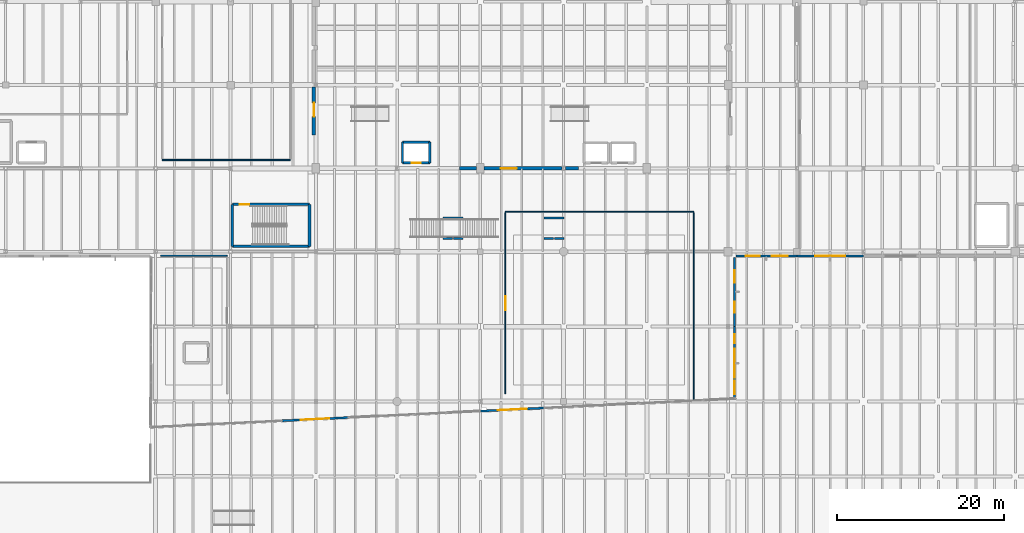
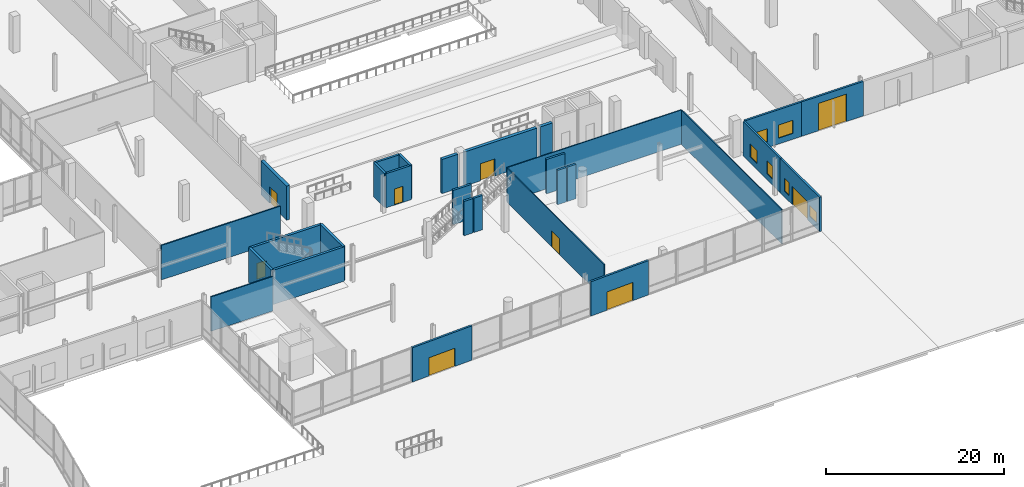
# One storey, part 68 of 88: 29 walls, 9 doors, 6 windows, 15 openings.
"""IFC4 building model written with IfcOpenShell, lengths in metres."""

from ifc_helpers import new_model, si_unit, direction, frame, frame_2d, origin, place, context, subcontext, project, spatial, rectangle, extrude, material, layer, layer_set, type_object, element, fill, save


model = new_model("IFC4")

# Units and contexts
model_context = context("Model", 3, precision=1e-05, world=origin(), true_north=direction((0.0, 1.0)))
body_context = subcontext(model_context, "Body", "Model", "MODEL_VIEW")
ifc_project = project(units=[si_unit("LENGTHUNIT", "METRE"), si_unit("AREAUNIT", "SQUARE_METRE"), si_unit("VOLUMEUNIT", "CUBIC_METRE"), si_unit("PLANEANGLEUNIT", "RADIAN"), si_unit("MASSUNIT", "GRAM", prefix="KILO")], contexts=[model_context])

# Site, building, storey
site_placement = place(None, origin())
site = spatial("IfcSite", under=ifc_project, at=site_placement, CompositionType="ELEMENT")
building_placement = place(site_placement, origin())
building = spatial("IfcBuilding", under=site, at=building_placement, Name="Trimount Lyric Opera House", CompositionType="ELEMENT")
storey_placement = place(building_placement, origin())
storey = spatial("IfcBuildingStorey", under=building, at=storey_placement, Name="L00", CompositionType="ELEMENT", Elevation=0.0)

# Wall
ifc_material_1 = material(Name="Gypsum Board Partition")
ifc_layer_1 = layer(ifc_material_1, 0.1201171875)
ifc_layer_set_1 = layer_set([ifc_layer_1], Name="WL-PT120")
wall_type_1 = type_object("IfcWallType", Name="WL-PT120", PredefinedType="PARTITIONING", material=ifc_layer_set_1)
wall_1_placement = place(storey_placement, frame((109.60009765625, 48.800048828125, 0.0), z_axis=(0.0, 0.0, 1.0), x_axis=(-1.0, 0.0, 0.0)))
element("IfcWall", 1, at=wall_1_placement, inside=storey, type_object=wall_type_1, Name="L00 Winter-Garden Ground Concourse N partition", PredefinedType="PARTITIONING", context=body_context, shape_type="SweptSolid", body=[
    extrude(rectangle(XDim=22.60009765625, YDim=0.1201171875, at=frame_2d((11.300048828125, 0.0))), origin(), (0.0, 0.0, 1.0), 4.699951171875),
])

# Wall, opening, door
wall_2_placement = place(storey_placement, frame((87.0, 48.679931640625, 0.0), z_axis=(0.0, 0.0, 1.0), x_axis=(0.0, -1.0, 0.0)))
wall_2 = element("IfcWall", 2, at=wall_2_placement, inside=storey, type_object=wall_type_1, Name="L00 Winter-Garden Ground Concourse W partition", PredefinedType="PARTITIONING", context=body_context, shape_type="SweptSolid", body=[
    extrude(rectangle(XDim=21.760009765625, YDim=0.1201171875, at=frame_2d((10.8798828125, 0.0))), origin(), (0.0, 0.0, 1.0), 4.699951171875),
])
opening_1_placement = place(wall_2_placement, frame((10.030029296875, 0.0, 0.0)))
opening_1 = element("IfcOpeningElement", 3, at=opening_1_placement, cuts=wall_2, Name="Opening DT-COR2", PredefinedType="OPENING", context=body_context, shape_type="SweptSolid", body=[
    extrude(rectangle(XDim=1.699951171875, YDim=2.199951171875, at=frame_2d((0.85009765625, 1.10009765625))), frame((0.0, 0.070068359375, 0.0), z_axis=(0.0, -1.0, 0.0), x_axis=(1.0, 0.0, 0.0)), (0.0, 0.0, 1.0), 0.14013671875),
])
ifc_material_2 = material(Name="Solid Core White Oak")
door_type_1 = type_object("IfcDoorType", Name="DT-COR2", OperationType="DOUBLE_DOOR_SINGLE_SWING", PredefinedType="DOOR", material=ifc_material_2)
door_1_placement = place(opening_1_placement, origin())
door_1 = element("IfcDoor", 4, at=door_1_placement, inside=storey, type_object=door_type_1, Name="D-182", OperationType="DOUBLE_DOOR_SINGLE_SWING", OverallHeight=2.199951171875, OverallWidth=1.699951171875, PredefinedType="DOOR", context=body_context, shape_type="SweptSolid", body=[
    extrude(rectangle(XDim=1.699951171875, YDim=2.199951171875, at=frame_2d((0.85009765625, 1.10009765625))), frame((0.0, 0.02490234375, 0.0), z_axis=(0.0, -1.0, 0.0), x_axis=(1.0, 0.0, 0.0)), (0.0, 0.0, 1.0), 0.050048828125),
])
fill(opening_1, door_1)

# Walls
wall_3_placement = place(storey_placement, frame((109.60009765625, 26.232177734375, 0.0), z_axis=(0.0, 0.0, 1.0), x_axis=(0.0, 1.0, 0.0)))
element("IfcWall", 5, at=wall_3_placement, inside=storey, type_object=wall_type_1, Name="L00 Winter-Garden Ground Concourse E partition", PredefinedType="PARTITIONING", context=body_context, shape_type="SweptSolid", body=[
    extrude(rectangle(XDim=22.44775390625, YDim=0.1201171875, at=frame_2d((11.223876953125, 0.0))), origin(), (0.0, 0.0, 1.0), 4.699951171875),
])
ifc_material_3 = material(Name="Fire-Rated Gypsum Board Partition")
ifc_layer_2 = layer(ifc_material_3, 0.14990234375)
ifc_layer_set_2 = layer_set([ifc_layer_2], Name="WL-PT150")
wall_type_2 = type_object("IfcWallType", Name="WL-PT150", PredefinedType="PARTITIONING", material=ifc_layer_set_2)
wall_4_placement = place(storey_placement, frame((53.60009765625, 43.5, 0.0), z_axis=(0.0, 0.0, 1.0), x_axis=(-1.0, 0.0, 0.0)))
element("IfcWall", 6, at=wall_4_placement, inside=storey, type_object=wall_type_2, Name="L00 Box Office & Ticketing Hall N partition", PredefinedType="PARTITIONING", context=body_context, shape_type="SweptSolid", body=[
    extrude(rectangle(XDim=8.0, YDim=0.14990234375, at=frame_2d((4.0, 0.0))), origin(), (0.0, 0.0, 1.0), 4.719970703125),
])
ifc_material_4 = material(Name="Acoustic Double-Stud Gypsum Board")
ifc_layer_3 = layer(ifc_material_4, 0.1650390625)
ifc_layer_set_3 = layer_set([ifc_layer_3], Name="WL-PT165")
wall_type_3 = type_object("IfcWallType", Name="WL-PT165", PredefinedType="PARTITIONING", material=ifc_layer_set_3)
wall_5_placement = place(storey_placement, frame((45.800048828125, 55.0, 0.0), z_axis=(0.0, 0.0, 1.0), x_axis=(1.0, 0.0, 0.0)))
element("IfcWall", 7, at=wall_5_placement, inside=storey, type_object=wall_type_3, Name="L00 Operetta & Ensemble Rehearsal Room S partition", PredefinedType="PARTITIONING", context=body_context, shape_type="SweptSolid", body=[
    extrude(rectangle(XDim=15.39990234375, YDim=0.1650390625, at=frame_2d((7.699951171875, 0.0))), origin(), (0.0, 0.0, 1.0), 4.719970703125),
])
ifc_material_5 = material(Name="Concrete C40/50", Category="concrete")
ifc_layer_4 = layer(ifc_material_5, 0.280029296875)
ifc_layer_set_4 = layer_set([ifc_layer_4], Name="WL-SH280")
wall_type_4 = type_object("IfcWallType", Name="WL-SH280", PredefinedType="SHEAR", material=ifc_layer_set_4)
for number, where, z_axis, x_axis, name in (
    (8, (79.52001953125, 45.56494140625, 0.0), (0.0, 0.0, 1.0), (1.0, 0.0, 0.0), "Concourse Roof-Garden Gallery Stair L00 landing fin pier SL"),
    (9, (80.780029296875, 45.56494140625, 0.0), (0.0, 0.0, 1.0), (1.0, 0.0, 0.0), "Concourse Roof-Garden Gallery Stair L00 landing fin pier SR"),
):
    element("IfcWall", number, at=place(storey_placement, frame(where, z_axis=z_axis, x_axis=x_axis)), inside=storey, type_object=wall_type_4, Name=name, PredefinedType="SHEAR", context=body_context, shape_type="SweptSolid", body=[
        extrude(rectangle(XDim=1.139892578125, YDim=0.280029296875, at=frame_2d((0.56982421875, 0.0))), origin(), (0.0, 0.0, 1.0), 4.699951171875),
    ])
wall_6_placement = place(storey_placement, frame((79.52001953125, 48.034912109375, 0.0), z_axis=(0.0, 0.0, 1.0), x_axis=(1.0, 0.0, 0.0)))
element("IfcWall", 10, at=wall_6_placement, inside=storey, type_object=wall_type_4, Name="Concourse Roof-Garden Gallery Stair L00 landing fin pier N", PredefinedType="SHEAR", context=body_context, shape_type="SweptSolid", body=[
    extrude(rectangle(XDim=2.39990234375, YDim=0.280029296875, at=frame_2d((1.199951171875, 0.0))), origin(), (0.0, 0.0, 1.0), 4.699951171875),
])
wall_7_placement = place(storey_placement, frame((91.6201171875, 45.56494140625, 0.0), z_axis=(0.0, 0.0, 1.0), x_axis=(1.0, 0.0, 0.0)))
element("IfcWall", 11, at=wall_7_placement, inside=storey, type_object=wall_type_4, Name="Winter-Garden East Promenade Stair L00 landing fin pier SL", PredefinedType="SHEAR", context=body_context, shape_type="SweptSolid", body=[
    extrude(rectangle(XDim=1.139892578125, YDim=0.280029296875, at=frame_2d((0.56982421875, 0.0))), origin(), (0.0, 0.0, 1.0), 4.699951171875),
])
wall_8_placement = place(storey_placement, frame((92.8798828125, 45.56494140625, 0.0), z_axis=(0.0, 0.0, 1.0), x_axis=(1.0, 0.0, 0.0)))
element("IfcWall", 12, at=wall_8_placement, inside=storey, type_object=wall_type_4, Name="Winter-Garden East Promenade Stair L00 landing fin pier SR", PredefinedType="SHEAR", context=body_context, shape_type="SweptSolid", body=[
    extrude(rectangle(XDim=1.14013671875, YDim=0.280029296875, at=frame_2d((0.570068359375, 0.0))), origin(), (0.0, 0.0, 1.0), 4.699951171875),
])
wall_9_placement = place(storey_placement, frame((91.6201171875, 48.034912109375, 0.0), z_axis=(0.0, 0.0, 1.0), x_axis=(1.0, 0.0, 0.0)))
element("IfcWall", 13, at=wall_9_placement, inside=storey, type_object=wall_type_4, Name="Winter-Garden East Promenade Stair L00 landing fin pier N", PredefinedType="SHEAR", context=body_context, shape_type="SweptSolid", body=[
    extrude(rectangle(XDim=2.39990234375, YDim=0.280029296875, at=frame_2d((1.199951171875, 0.0))), origin(), (0.0, 0.0, 1.0), 4.699951171875),
])

# Wall, opening, door
wall_10_placement = place(storey_placement, frame((74.659912109375, 54.659912109375, 0.0), z_axis=(0.0, 0.0, 1.0), x_axis=(1.0, 0.0, 0.0)))
wall_10 = element("IfcWall", 14, at=wall_10_placement, inside=storey, type_object=wall_type_4, Name="Lift LF-02 L00 south shaft wall", PredefinedType="SHEAR", context=body_context, shape_type="SweptSolid", body=[
    extrude(rectangle(XDim=3.280029296875, YDim=0.280029296875, at=frame_2d((1.64013671875, 0.0))), origin(), (0.0, 0.0, 1.0), 4.675048828125),
])
opening_2_placement = place(wall_10_placement, frame((1.090087890625, 0.0, 0.0)))
opening_2 = element("IfcOpeningElement", 15, at=opening_2_placement, cuts=wall_10, Name="Opening DT-LD1", PredefinedType="OPENING", context=body_context, shape_type="SweptSolid", body=[
    extrude(rectangle(XDim=1.10009765625, YDim=2.199951171875, at=frame_2d((0.550048828125, 1.10009765625))), frame((0.0, 0.14990234375, 0.0), z_axis=(0.0, -1.0, 0.0), x_axis=(1.0, 0.0, 0.0)), (0.0, 0.0, 1.0), 0.300048828125),
])
ifc_material_6 = material(Name="Brushed Stainless Steel", Category="steel")
door_type_2 = type_object("IfcDoorType", Name="DT-LD1", OperationType="SLIDING_TO_LEFT", PredefinedType="DOOR", material=ifc_material_6)
door_2_placement = place(opening_2_placement, origin())
door_2 = element("IfcDoor", 16, at=door_2_placement, inside=storey, type_object=door_type_2, Name="D-074", OperationType="SLIDING_TO_LEFT", OverallHeight=2.199951171875, OverallWidth=1.10009765625, PredefinedType="DOOR", context=body_context, shape_type="SweptSolid", body=[
    extrude(rectangle(XDim=1.10009765625, YDim=2.199951171875, at=frame_2d((0.550048828125, 1.10009765625))), frame((0.0, 0.02490234375, 0.0), z_axis=(0.0, -1.0, 0.0), x_axis=(1.0, 0.0, 0.0)), (0.0, 0.0, 1.0), 0.050048828125),
])
fill(opening_2, door_2)

# Walls
wall_11_placement = place(storey_placement, frame((77.93994140625, 57.139892578125, 0.0), z_axis=(0.0, 0.0, 1.0), x_axis=(-1.0, 0.0, 0.0)))
element("IfcWall", 17, at=wall_11_placement, inside=storey, type_object=wall_type_4, Name="Lift LF-02 L00 north shaft wall", PredefinedType="SHEAR", context=body_context, shape_type="SweptSolid", body=[
    extrude(rectangle(XDim=3.280029296875, YDim=0.280029296875, at=frame_2d((1.64013671875, 0.0))), origin(), (0.0, 0.0, 1.0), 4.675048828125),
])
for number, where, z_axis, x_axis, name in (
    (18, (74.659912109375, 57.139892578125, 0.0), (0.0, 0.0, 1.0), (0.0, -1.0, 0.0), "Lift LF-02 L00 west shaft wall"),
    (19, (77.93994140625, 54.659912109375, 0.0), (0.0, 0.0, 1.0), (0.0, 1.0, 0.0), "Lift LF-02 L00 east shaft wall"),
):
    element("IfcWall", number, at=place(storey_placement, frame(where, z_axis=z_axis, x_axis=x_axis)), inside=storey, type_object=wall_type_4, Name=name, PredefinedType="SHEAR", context=body_context, shape_type="SweptSolid", body=[
        extrude(rectangle(XDim=2.47998046875, YDim=0.280029296875, at=frame_2d((1.239990234375, 0.0))), origin(), (0.0, 0.0, 1.0), 4.675048828125),
    ])
ifc_material_7 = material(Name="Concrete C40/50", Category="concrete")
ifc_layer_5 = layer(ifc_material_7, 0.320068359375)
ifc_layer_set_5 = layer_set([ifc_layer_5], Name="WL-SH320")
wall_type_5 = type_object("IfcWallType", Name="WL-SH320", PredefinedType="SHEAR", material=ifc_layer_set_5)
wall_12_placement = place(storey_placement, frame((54.22509765625, 44.625, 0.0), z_axis=(0.0, 0.0, 1.0), x_axis=(1.0, 0.0, 0.0)))
element("IfcWall", 20, at=wall_12_placement, inside=storey, type_object=wall_type_5, Name="K7 L00 south shaft wall", PredefinedType="SHEAR", context=body_context, shape_type="SweptSolid", body=[
    extrude(rectangle(XDim=9.25, YDim=0.320068359375, at=frame_2d((4.625, 0.0))), origin(), (0.0, 0.0, 1.0), 4.699951171875),
])

# Wall, opening, door
wall_13_placement = place(storey_placement, frame((63.47509765625, 49.675048828125, 0.0), z_axis=(0.0, 0.0, 1.0), x_axis=(-1.0, 0.0, 0.0)))
wall_13 = element("IfcWall", 21, at=wall_13_placement, inside=storey, type_object=wall_type_5, Name="K7 L00 north shaft wall", PredefinedType="SHEAR", context=body_context, shape_type="SweptSolid", body=[
    extrude(rectangle(XDim=9.25, YDim=0.320068359375, at=frame_2d((4.625, 0.0))), origin(), (0.0, 0.0, 1.0), 4.699951171875),
])
opening_3_placement = place(wall_13_placement, frame((7.199951171875, 0.0, 0.0)))
opening_3 = element("IfcOpeningElement", 22, at=opening_3_placement, cuts=wall_13, Name="Opening DT-ST1", PredefinedType="OPENING", context=body_context, shape_type="SweptSolid", body=[
    extrude(rectangle(XDim=1.14990234375, YDim=2.199951171875, at=frame_2d((0.574951171875, 1.10009765625))), frame((0.0, 0.169921875, 0.0), z_axis=(0.0, -1.0, 0.0), x_axis=(1.0, 0.0, 0.0)), (0.0, 0.0, 1.0), 0.340087890625),
])
ifc_material_8 = material(Name="Fire-Rated Hollow Steel", Category="steel")
door_type_3 = type_object("IfcDoorType", Name="DT-ST1", OperationType="NOTDEFINED", PredefinedType="DOOR", material=ifc_material_8)
door_3_placement = place(opening_3_placement, origin())
door_3 = element("IfcDoor", 23, at=door_3_placement, inside=storey, type_object=door_type_3, Name="D-052", OperationType="SINGLE_SWING_RIGHT", OverallHeight=2.199951171875, OverallWidth=1.14990234375, PredefinedType="DOOR", context=body_context, shape_type="SweptSolid", body=[
    extrude(rectangle(XDim=1.14990234375, YDim=2.199951171875, at=frame_2d((0.574951171875, 1.10009765625))), frame((0.0, 0.02490234375, 0.0), z_axis=(0.0, -1.0, 0.0), x_axis=(1.0, 0.0, 0.0)), (0.0, 0.0, 1.0), 0.050048828125),
])
fill(opening_3, door_3)

# Walls
wall_14_placement = place(storey_placement, frame((54.22509765625, 49.675048828125, 0.0), z_axis=(0.0, 0.0, 1.0), x_axis=(0.0, -1.0, 0.0)))
element("IfcWall", 24, at=wall_14_placement, inside=storey, type_object=wall_type_5, Name="K7 L00 west shaft wall", PredefinedType="SHEAR", context=body_context, shape_type="SweptSolid", body=[
    extrude(rectangle(XDim=5.050048828125, YDim=0.320068359375, at=frame_2d((2.52490234375, 0.0))), origin(), (0.0, 0.0, 1.0), 4.719970703125),
])
wall_15_placement = place(storey_placement, frame((63.47509765625, 44.625, 0.0), z_axis=(0.0, 0.0, 1.0), x_axis=(0.0, 1.0, 0.0)))
element("IfcWall", 25, at=wall_15_placement, inside=storey, type_object=wall_type_5, Name="K7 L00 east shaft wall", PredefinedType="SHEAR", context=body_context, shape_type="SweptSolid", body=[
    extrude(rectangle(XDim=5.050048828125, YDim=0.320068359375, at=frame_2d((2.52490234375, 0.0))), origin(), (0.0, 0.0, 1.0), 4.699951171875),
])

# Wall, opening, door
ifc_material_9 = material(Name="Concrete C40/50", Category="concrete")
ifc_layer_6 = layer(ifc_material_9, 0.39990234375)
ifc_layer_set_6 = layer_set([ifc_layer_6], Name="WL-SH400")
wall_type_6 = type_object("IfcWallType", Name="WL-SH400", PredefinedType="SHEAR", material=ifc_layer_set_6)
wall_16_placement = place(storey_placement, frame((64.0, 58.0, 0.0), z_axis=(0.0, 0.0, 1.0), x_axis=(0.0, 1.0, 0.0)))
wall_16 = element("IfcWall", 26, at=wall_16_placement, inside=storey, type_object=wall_type_6, Name="L00 auditorium west acoustic shear wall", PredefinedType="SHEAR", context=body_context, shape_type="SweptSolid", body=[
    extrude(rectangle(XDim=5.767578125, YDim=0.39990234375, at=frame_2d((2.8837890625, 0.0))), origin(), (0.0, 0.0, 1.0), 4.675048828125),
])
opening_4_placement = place(wall_16_placement, frame((2.199951171875, 0.0, 0.0)))
opening_4 = element("IfcOpeningElement", 27, at=opening_4_placement, cuts=wall_16, Name="Opening DT-AUD2", PredefinedType="OPENING", context=body_context, shape_type="SweptSolid", body=[
    extrude(rectangle(XDim=1.64990234375, YDim=2.300048828125, at=frame_2d((0.824951171875, 1.14990234375))), frame((0.0, 0.2099609375, 0.0), z_axis=(0.0, -1.0, 0.0), x_axis=(1.0, 0.0, 0.0)), (0.0, 0.0, 1.0), 0.419921875),
])
ifc_material_10 = material(Name="Solid White Oak Acoustic")
door_type_4 = type_object("IfcDoorType", Name="DT-AUD2", OperationType="DOUBLE_DOOR_SINGLE_SWING", PredefinedType="DOOR", material=ifc_material_10)
door_4_placement = place(opening_4_placement, origin())
door_4 = element("IfcDoor", 28, at=door_4_placement, inside=storey, type_object=door_type_4, Name="D-120", OperationType="DOUBLE_DOOR_SINGLE_SWING", OverallHeight=2.300048828125, OverallWidth=1.64990234375, PredefinedType="DOOR", context=body_context, shape_type="SweptSolid", body=[
    extrude(rectangle(XDim=1.64990234375, YDim=2.300048828125, at=frame_2d((0.824951171875, 1.14990234375))), frame((0.0, 0.02490234375, 0.0), z_axis=(0.0, -1.0, 0.0), x_axis=(1.0, 0.0, 0.0)), (0.0, 0.0, 1.0), 0.050048828125),
])
fill(opening_4, door_4)

# Wall
wall_17_placement = place(storey_placement, frame((81.5, 54.0, 0.0), z_axis=(0.0, 0.0, 1.0), x_axis=(1.0, 0.0, 0.0)))
element("IfcWall", 29, at=wall_17_placement, inside=storey, type_object=wall_type_6, Name="L00 auditorium south acoustic lobby wall", PredefinedType="SHEAR", context=body_context, shape_type="SweptSolid", body=[
    extrude(rectangle(XDim=2.050048828125, YDim=0.39990234375, at=frame_2d((1.02490234375, 0.0))), origin(), (0.0, 0.0, 1.0), 4.675048828125),
])

# Wall, opening, door
wall_18_placement = place(storey_placement, frame((84.449951171875, 54.0, 0.0), z_axis=(0.0, 0.0, 1.0), x_axis=(1.0, 0.0, 0.0)))
wall_18 = element("IfcWall", 30, at=wall_18_placement, inside=storey, type_object=wall_type_6, Name="L00 auditorium south acoustic lobby wall", PredefinedType="SHEAR", context=body_context, shape_type="SweptSolid", body=[
    extrude(rectangle(XDim=9.339111328125, YDim=0.39990234375, at=frame_2d((4.66943359375, 0.0))), origin(), (0.0, 0.0, 1.0), 4.675048828125),
])
opening_5_placement = place(wall_18_placement, frame((2.0, 0.0, 0.0)))
opening_5 = element("IfcOpeningElement", 31, at=opening_5_placement, cuts=wall_18, Name="Opening DT-AUD1", PredefinedType="OPENING", context=body_context, shape_type="SweptSolid", body=[
    extrude(rectangle(XDim=1.89990234375, YDim=2.35009765625, at=frame_2d((0.949951171875, 1.175048828125))), frame((0.0, 0.2099609375, 0.0), z_axis=(0.0, -1.0, 0.0), x_axis=(1.0, 0.0, 0.0)), (0.0, 0.0, 1.0), 0.419921875),
])
ifc_material_11 = material(Name="Solid White Oak Acoustic")
door_type_5 = type_object("IfcDoorType", Name="DT-AUD1", OperationType="DOUBLE_DOOR_SINGLE_SWING", PredefinedType="DOOR", material=ifc_material_11)
door_5_placement = place(opening_5_placement, origin())
door_5 = element("IfcDoor", 32, at=door_5_placement, inside=storey, type_object=door_type_5, Name="D-119", OperationType="DOUBLE_DOOR_SINGLE_SWING", OverallHeight=2.35009765625, OverallWidth=1.89990234375, PredefinedType="DOOR", context=body_context, shape_type="SweptSolid", body=[
    extrude(rectangle(XDim=1.89990234375, YDim=2.35009765625, at=frame_2d((0.949951171875, 1.175048828125))), frame((0.0, 0.02490234375, 0.0), z_axis=(0.0, -1.0, 0.0), x_axis=(1.0, 0.0, 0.0)), (0.0, 0.0, 1.0), 0.050048828125),
])
fill(opening_5, door_5)

# Wall
wall_19_placement = place(storey_placement, frame((94.2109375, 54.0, 0.0), z_axis=(0.0, 0.0, 1.0), x_axis=(1.0, 0.0, 0.0)))
element("IfcWall", 33, at=wall_19_placement, inside=storey, type_object=wall_type_6, Name="L00 auditorium south acoustic lobby wall", PredefinedType="SHEAR", context=body_context, shape_type="SweptSolid", body=[
    extrude(rectangle(XDim=1.589111328125, YDim=0.39990234375, at=frame_2d((0.79443359375, 0.0))), origin(), (0.0, 0.0, 1.0), 4.675048828125),
])

# Wall, opening, door
ifc_material_12 = material(Name="Concrete C35/45", Category="concrete")
ifc_layer_7 = layer(ifc_material_12, 0.25)
ifc_layer_set_7 = layer_set([ifc_layer_7], Name="WL-SW250")
wall_type_7 = type_object("IfcWallType", Name="WL-SW250", PredefinedType="SOLIDWALL", material=ifc_layer_set_7)
wall_20_placement = place(storey_placement, frame((130.0, 43.4599609375, 0.0), z_axis=(0.0, 0.0, 1.0), x_axis=(-1.0, 0.0, 0.0)))
wall_20 = element("IfcWall", 34, at=wall_20_placement, inside=storey, type_object=wall_type_7, Name="L00 exterior facade wall 140", PredefinedType="SOLIDWALL", context=body_context, shape_type="SweptSolid", body=[
    extrude(rectangle(XDim=8.0, YDim=0.25, at=frame_2d((4.0, 0.0))), origin(), (0.0, 0.0, 1.0), 4.719970703125),
])
opening_6_placement = place(wall_20_placement, frame((2.199951171875, 0.0, 0.0)))
opening_6 = element("IfcOpeningElement", 35, at=opening_6_placement, cuts=wall_20, Name="Opening DT-GT1", PredefinedType="OPENING", context=body_context, shape_type="SweptSolid", body=[
    extrude(rectangle(XDim=3.60009765625, YDim=3.75, at=frame_2d((1.800048828125, 1.875))), frame((0.0, 0.135009765625, 0.0), z_axis=(0.0, -1.0, 0.0), x_axis=(1.0, 0.0, 0.0)), (0.0, 0.0, 1.0), 0.27001953125),
])
ifc_material_13 = material(Name="Insulated Galvanised Steel", Category="steel")
door_type_6 = type_object("IfcDoorType", Name="DT-GT1", OperationType="ROLLINGUP", PredefinedType="GATE", material=ifc_material_13)
door_6_placement = place(opening_6_placement, origin())
door_6 = element("IfcDoor", 36, at=door_6_placement, inside=storey, type_object=door_type_6, Name="D-140", OperationType="ROLLINGUP", OverallHeight=3.75, OverallWidth=3.60009765625, PredefinedType="GATE", context=body_context, shape_type="SweptSolid", body=[
    extrude(rectangle(XDim=3.60009765625, YDim=3.75, at=frame_2d((1.800048828125, 1.875))), frame((0.0, 0.02490234375, 0.0), z_axis=(0.0, -1.0, 0.0), x_axis=(1.0, 0.0, 0.0)), (0.0, 0.0, 1.0), 0.050048828125),
])
fill(opening_6, door_6)

# Wall, openings, windows
wall_21_placement = place(storey_placement, frame((122.0, 43.4599609375, 0.0), z_axis=(0.0, 0.0, 1.0), x_axis=(-1.0, 0.0, 0.0)))
wall_21 = element("IfcWall", 37, at=wall_21_placement, inside=storey, type_object=wall_type_7, Name="L00 exterior facade wall 141", PredefinedType="SOLIDWALL", context=body_context, shape_type="SweptSolid", body=[
    extrude(rectangle(XDim=7.320068359375, YDim=0.25, at=frame_2d((3.66015625, 0.0))), origin(), (0.0, 0.0, 1.0), 4.699951171875),
])
opening_7_placement = place(wall_21_placement, frame((1.099609375, 0.0, 0.800048828125)))
opening_7 = element("IfcOpeningElement", 38, at=opening_7_placement, cuts=wall_21, Name="Opening WT-18", PredefinedType="OPENING", context=body_context, shape_type="SweptSolid", body=[
    extrude(rectangle(XDim=1.89990234375, YDim=1.800048828125, at=frame_2d((0.949951171875, 0.89990234375))), frame((0.0, 0.135009765625, 0.0), z_axis=(0.0, -1.0, 0.0), x_axis=(1.0, 0.0, 0.0)), (0.0, 0.0, 1.0), 0.27001953125),
])
opening_8_placement = place(wall_21_placement, frame((4.42041015625, 0.0, 0.800048828125)))
opening_8 = element("IfcOpeningElement", 39, at=opening_8_placement, cuts=wall_21, Name="Opening WT-19", PredefinedType="OPENING", context=body_context, shape_type="SweptSolid", body=[
    extrude(rectangle(XDim=1.699951171875, YDim=1.800048828125, at=frame_2d((0.85009765625, 0.89990234375))), frame((0.0, 0.135009765625, 0.0), z_axis=(0.0, -1.0, 0.0), x_axis=(1.0, 0.0, 0.0)), (0.0, 0.0, 1.0), 0.27001953125),
])
ifc_material_14 = material(Name="Dressing Suite Acoustic Window")
window_type_1 = type_object("IfcWindowType", Name="WT-18", PartitioningType="DOUBLE_PANEL_VERTICAL", PredefinedType="WINDOW", material=ifc_material_14)
window_1_placement = place(opening_7_placement, origin())
window_1 = element("IfcWindow", 40, at=window_1_placement, inside=storey, type_object=window_type_1, Name="Window WT-18-0044", OverallHeight=1.800048828125, OverallWidth=1.89990234375, PartitioningType="SINGLE_PANEL", PredefinedType="WINDOW", context=body_context, shape_type="SweptSolid", body=[
    extrude(rectangle(XDim=1.89990234375, YDim=1.800048828125, at=frame_2d((0.949951171875, 0.89990234375))), frame((0.0, 0.030029296875, 0.0), z_axis=(0.0, -1.0, 0.0), x_axis=(1.0, 0.0, 0.0)), (0.0, 0.0, 1.0), 0.06005859375),
])
fill(opening_7, window_1)
ifc_material_15 = material(Name="Dressing Suite Acoustic Window")
window_type_2 = type_object("IfcWindowType", Name="WT-19", PartitioningType="SINGLE_PANEL", PredefinedType="WINDOW", material=ifc_material_15)
window_2_placement = place(opening_8_placement, origin())
window_2 = element("IfcWindow", 41, at=window_2_placement, inside=storey, type_object=window_type_2, Name="Window WT-19-0045", OverallHeight=1.800048828125, OverallWidth=1.699951171875, PartitioningType="SINGLE_PANEL", PredefinedType="WINDOW", context=body_context, shape_type="SweptSolid", body=[
    extrude(rectangle(XDim=1.699951171875, YDim=1.800048828125, at=frame_2d((0.85009765625, 0.89990234375))), frame((0.0, 0.030029296875, 0.0), z_axis=(0.0, -1.0, 0.0), x_axis=(1.0, 0.0, 0.0)), (0.0, 0.0, 1.0), 0.06005859375),
])
fill(opening_8, window_2)

wall_22_placement = place(storey_placement, frame((114.5400390625, 43.320068359375, 0.0), z_axis=(0.0, 0.0, 1.0), x_axis=(0.0, -1.0, 0.0)))
wall_22 = element("IfcWall", 42, at=wall_22_placement, inside=storey, type_object=wall_type_7, Name="L00 exterior facade wall 142", PredefinedType="SOLIDWALL", context=body_context, shape_type="SweptSolid", body=[
    extrude(rectangle(XDim=8.320068359375, YDim=0.25, at=frame_2d((4.16015625, 0.0))), origin(), (0.0, 0.0, 1.0), 4.699951171875),
])
opening_9_placement = place(wall_22_placement, frame((1.57958984375, 0.0, 0.800048828125)))
opening_9 = element("IfcOpeningElement", 43, at=opening_9_placement, cuts=wall_22, Name="Opening WT-20", PredefinedType="OPENING", context=body_context, shape_type="SweptSolid", body=[
    extrude(rectangle(XDim=1.5, YDim=1.800048828125, at=frame_2d((0.75, 0.89990234375))), frame((0.0, 0.135009765625, 0.0), z_axis=(0.0, -1.0, 0.0), x_axis=(1.0, 0.0, 0.0)), (0.0, 0.0, 1.0), 0.27001953125),
])
opening_10_placement = place(wall_22_placement, frame((5.34033203125, 0.0, 0.800048828125)))
opening_10 = element("IfcOpeningElement", 44, at=opening_10_placement, cuts=wall_22, Name="Opening WT-21", PredefinedType="OPENING", context=body_context, shape_type="SweptSolid", body=[
    extrude(rectangle(XDim=1.300048828125, YDim=1.800048828125, at=frame_2d((0.64990234375, 0.89990234375))), frame((0.0, 0.135009765625, 0.0), z_axis=(0.0, -1.0, 0.0), x_axis=(1.0, 0.0, 0.0)), (0.0, 0.0, 1.0), 0.27001953125),
])
ifc_material_16 = material(Name="Dressing Suite Acoustic Window")
window_type_3 = type_object("IfcWindowType", Name="WT-20", PartitioningType="SINGLE_PANEL", PredefinedType="WINDOW", material=ifc_material_16)
window_3_placement = place(opening_9_placement, origin())
window_3 = element("IfcWindow", 45, at=window_3_placement, inside=storey, type_object=window_type_3, Name="Window WT-20-0046", OverallHeight=1.800048828125, OverallWidth=1.5, PartitioningType="SINGLE_PANEL", PredefinedType="WINDOW", context=body_context, shape_type="SweptSolid", body=[
    extrude(rectangle(XDim=1.5, YDim=1.800048828125, at=frame_2d((0.75, 0.89990234375))), frame((0.0, 0.030029296875, 0.0), z_axis=(0.0, -1.0, 0.0), x_axis=(1.0, 0.0, 0.0)), (0.0, 0.0, 1.0), 0.06005859375),
])
fill(opening_9, window_3)
ifc_material_17 = material(Name="Dressing Suite Acoustic Window")
window_type_4 = type_object("IfcWindowType", Name="WT-21", PartitioningType="SINGLE_PANEL", PredefinedType="WINDOW", material=ifc_material_17)
window_4_placement = place(opening_10_placement, origin())
window_4 = element("IfcWindow", 46, at=window_4_placement, inside=storey, type_object=window_type_4, Name="Window WT-21-0047", OverallHeight=1.800048828125, OverallWidth=1.300048828125, PartitioningType="SINGLE_PANEL", PredefinedType="WINDOW", context=body_context, shape_type="SweptSolid", body=[
    extrude(rectangle(XDim=1.300048828125, YDim=1.800048828125, at=frame_2d((0.64990234375, 0.89990234375))), frame((0.0, 0.030029296875, 0.0), z_axis=(0.0, -1.0, 0.0), x_axis=(1.0, 0.0, 0.0)), (0.0, 0.0, 1.0), 0.06005859375),
])
fill(opening_10, window_4)

# Wall, openings, door, windows
wall_23_placement = place(storey_placement, frame((114.5400390625, 35.0, 0.0), z_axis=(0.0, 0.0, 1.0), x_axis=(0.0, -1.0, 0.0)))
wall_23 = element("IfcWall", 47, at=wall_23_placement, inside=storey, type_object=wall_type_7, Name="L00 exterior facade wall 143", PredefinedType="SOLIDWALL", context=body_context, shape_type="SweptSolid", body=[
    extrude(rectangle(XDim=8.800048828125, YDim=0.25, at=frame_2d((4.39990234375, 0.0))), origin(), (0.0, 0.0, 1.0), 4.699951171875),
])
opening_11_placement = place(wall_23_placement, frame((0.9140625, 0.0, 0.800048828125)))
opening_11 = element("IfcOpeningElement", 48, at=opening_11_placement, cuts=wall_23, Name="Opening WT-22", PredefinedType="OPENING", context=body_context, shape_type="SweptSolid", body=[
    extrude(rectangle(XDim=1.10009765625, YDim=1.800048828125, at=frame_2d((0.550048828125, 0.89990234375))), frame((0.0, 0.135009765625, 0.0), z_axis=(0.0, -1.0, 0.0), x_axis=(1.0, 0.0, 0.0)), (0.0, 0.0, 1.0), 0.27001953125),
])
opening_12_placement = place(wall_23_placement, frame((6.535888671875, 0.0, 0.800048828125)))
opening_12 = element("IfcOpeningElement", 49, at=opening_12_placement, cuts=wall_23, Name="Opening WT-26", PredefinedType="OPENING", context=body_context, shape_type="SweptSolid", body=[
    extrude(rectangle(XDim=1.60009765625, YDim=1.5, at=frame_2d((0.800048828125, 0.75))), frame((0.0, 0.135009765625, 0.0), z_axis=(0.0, -1.0, 0.0), x_axis=(1.0, 0.0, 0.0)), (0.0, 0.0, 1.0), 0.27001953125),
])
opening_13_placement = place(wall_23_placement, frame((2.675048828125, 0.0, 0.0)))
opening_13 = element("IfcOpeningElement", 50, at=opening_13_placement, cuts=wall_23, Name="Opening DT-EXIT-1", PredefinedType="OPENING", context=body_context, shape_type="SweptSolid", body=[
    extrude(rectangle(XDim=3.449951171875, YDim=2.5, at=frame_2d((1.72509765625, 1.25))), frame((0.0, 0.135009765625, 0.0), z_axis=(0.0, -1.0, 0.0), x_axis=(1.0, 0.0, 0.0)), (0.0, 0.0, 1.0), 0.27001953125),
])
ifc_material_18 = material(Name="Anodised Bronze Glazed Assembly")
door_type_7 = type_object("IfcDoorType", Name="DT-EXIT-1", OperationType="DOUBLE_DOOR_SINGLE_SWING", PredefinedType="DOOR", material=ifc_material_18)
door_7_placement = place(opening_13_placement, origin())
door_7 = element("IfcDoor", 51, at=door_7_placement, inside=storey, type_object=door_type_7, Name="D-146", OperationType="DOUBLE_DOOR_SINGLE_SWING", OverallHeight=2.5, OverallWidth=3.449951171875, PredefinedType="DOOR", context=body_context, shape_type="SweptSolid", body=[
    extrude(rectangle(XDim=3.449951171875, YDim=2.5, at=frame_2d((1.72509765625, 1.25))), frame((0.0, 0.02490234375, 0.0), z_axis=(0.0, -1.0, 0.0), x_axis=(1.0, 0.0, 0.0)), (0.0, 0.0, 1.0), 0.050048828125),
])
fill(opening_13, door_7)
ifc_material_19 = material(Name="Practice Room Acoustic Window")
window_type_5 = type_object("IfcWindowType", Name="WT-22", PartitioningType="SINGLE_PANEL", PredefinedType="WINDOW", material=ifc_material_19)
window_5_placement = place(opening_11_placement, origin())
window_5 = element("IfcWindow", 52, at=window_5_placement, inside=storey, type_object=window_type_5, Name="Window WT-22-0048", OverallHeight=1.800048828125, OverallWidth=1.10009765625, PartitioningType="SINGLE_PANEL", PredefinedType="WINDOW", context=body_context, shape_type="SweptSolid", body=[
    extrude(rectangle(XDim=1.10009765625, YDim=1.800048828125, at=frame_2d((0.550048828125, 0.89990234375))), frame((0.0, 0.030029296875, 0.0), z_axis=(0.0, -1.0, 0.0), x_axis=(1.0, 0.0, 0.0)), (0.0, 0.0, 1.0), 0.06005859375),
])
fill(opening_11, window_5)
ifc_material_20 = material(Name="Clerestory Ribbon Glazing", Category="glass")
window_type_6 = type_object("IfcWindowType", Name="WT-26", PartitioningType="SINGLE_PANEL", PredefinedType="WINDOW", material=ifc_material_20)
window_6_placement = place(opening_12_placement, origin())
window_6 = element("IfcWindow", 53, at=window_6_placement, inside=storey, type_object=window_type_6, Name="Window WT-26-0049", OverallHeight=1.5, OverallWidth=1.60009765625, PartitioningType="SINGLE_PANEL", PredefinedType="WINDOW", context=body_context, shape_type="SweptSolid", body=[
    extrude(rectangle(XDim=1.60009765625, YDim=1.5, at=frame_2d((0.800048828125, 0.75))), frame((0.0, 0.030029296875, 0.0), z_axis=(0.0, -1.0, 0.0), x_axis=(1.0, 0.0, 0.0)), (0.0, 0.0, 1.0), 0.06005859375),
])
fill(opening_12, window_6)

# Wall, opening, door
wall_24_placement = place(storey_placement, frame((91.6630859375, 25.217041015625, 0.0), z_axis=(0.0, 0.0, 1.0), x_axis=(-0.998811558524, -0.048738799313, 0.0)))
wall_24 = element("IfcWall", 54, at=wall_24_placement, inside=storey, type_object=wall_type_7, Name="L00 exterior facade wall 144", PredefinedType="SOLIDWALL", context=body_context, shape_type="SweptSolid", body=[
    extrude(rectangle(XDim=7.678955078125, YDim=0.25, at=frame_2d((3.83935546875, 0.0))), origin(), (0.0, 0.0, 1.0), 4.699951171875),
])
opening_14_placement = place(wall_24_placement, frame((2.114501953125, 0.0, 0.0)))
opening_14 = element("IfcOpeningElement", 55, at=opening_14_placement, cuts=wall_24, Name="Opening DT-EXIT-1", PredefinedType="OPENING", context=body_context, shape_type="SweptSolid", body=[
    extrude(rectangle(XDim=3.449951171875, YDim=2.5, at=frame_2d((1.72509765625, 1.25))), frame((0.0, 0.135009765625, 0.0), z_axis=(0.0, -1.0, 0.0), x_axis=(1.0, 0.0, 0.0)), (0.0, 0.0, 1.0), 0.27001953125),
])
door_8_placement = place(opening_14_placement, origin())
door_8 = element("IfcDoor", 56, at=door_8_placement, inside=storey, type_object=door_type_7, Name="D-147", OperationType="DOUBLE_DOOR_SINGLE_SWING", OverallHeight=2.5, OverallWidth=3.449951171875, PredefinedType="DOOR", context=body_context, shape_type="SweptSolid", body=[
    extrude(rectangle(XDim=3.449951171875, YDim=2.5, at=frame_2d((1.72509765625, 1.25))), frame((0.0, 0.02490234375, 0.0), z_axis=(0.0, -1.0, 0.0), x_axis=(1.0, 0.0, 0.0)), (0.0, 0.0, 1.0), 0.050048828125),
])
fill(opening_14, door_8)

wall_25_placement = place(storey_placement, frame((68.12109375, 24.068359375, 0.0), z_axis=(0.0, 0.0, 1.0), x_axis=(-0.998811840473, -0.04873302095, 0.0)))
wall_25 = element("IfcWall", 57, at=wall_25_placement, inside=storey, type_object=wall_type_7, Name="L00 exterior facade wall 145", PredefinedType="SOLIDWALL", context=body_context, shape_type="SweptSolid", body=[
    extrude(rectangle(XDim=7.945556640625, YDim=0.25, at=frame_2d((3.97265625, 0.0))), origin(), (0.0, 0.0, 1.0), 4.699951171875),
])
opening_15_placement = place(wall_25_placement, frame((2.247802734375, 0.0, 0.0)))
opening_15 = element("IfcOpeningElement", 58, at=opening_15_placement, cuts=wall_25, Name="Opening DT-EXIT-1", PredefinedType="OPENING", context=body_context, shape_type="SweptSolid", body=[
    extrude(rectangle(XDim=3.449951171875, YDim=2.5, at=frame_2d((1.72509765625, 1.25))), frame((0.0, 0.135009765625, 0.0), z_axis=(0.0, -1.0, 0.0), x_axis=(1.0, 0.0, 0.0)), (0.0, 0.0, 1.0), 0.27001953125),
])
door_9_placement = place(opening_15_placement, origin())
door_9 = element("IfcDoor", 59, at=door_9_placement, inside=storey, type_object=door_type_7, Name="D-148", OperationType="DOUBLE_DOOR_SINGLE_SWING", OverallHeight=2.5, OverallWidth=3.449951171875, PredefinedType="DOOR", context=body_context, shape_type="SweptSolid", body=[
    extrude(rectangle(XDim=3.449951171875, YDim=2.5, at=frame_2d((1.72509765625, 1.25))), frame((0.0, 0.02490234375, 0.0), z_axis=(0.0, -1.0, 0.0), x_axis=(1.0, 0.0, 0.0)), (0.0, 0.0, 1.0), 0.050048828125),
])
fill(opening_15, door_9)

save(model, "model.ifc")
